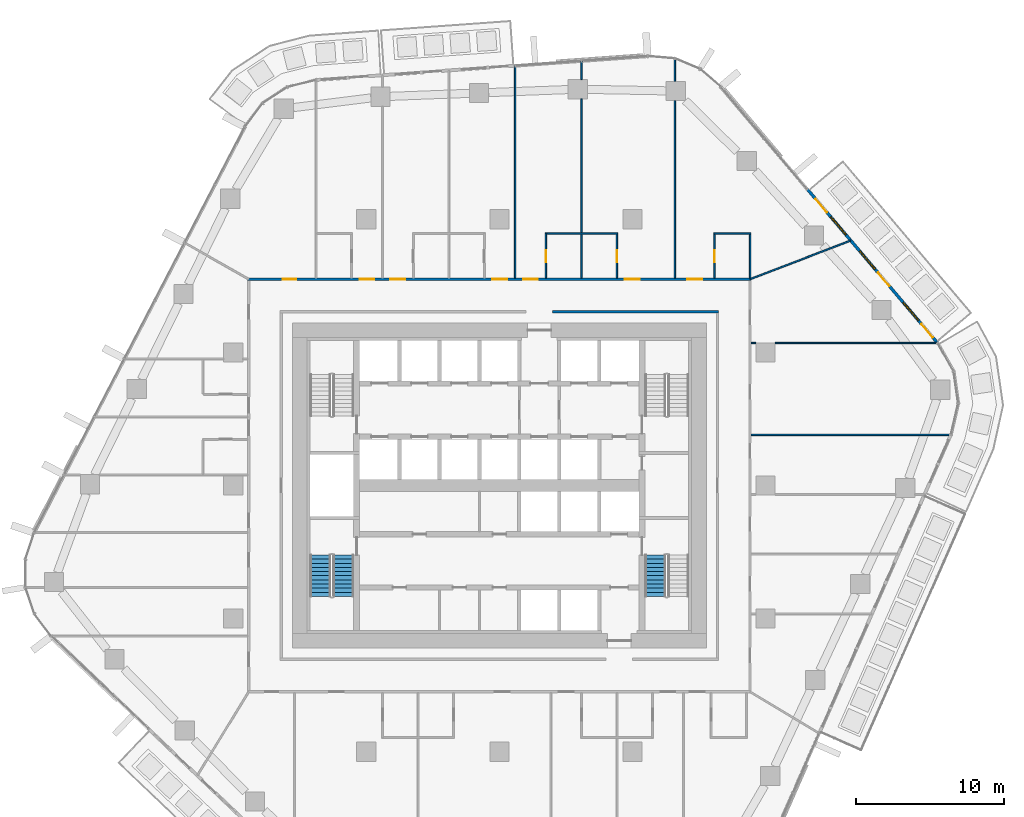
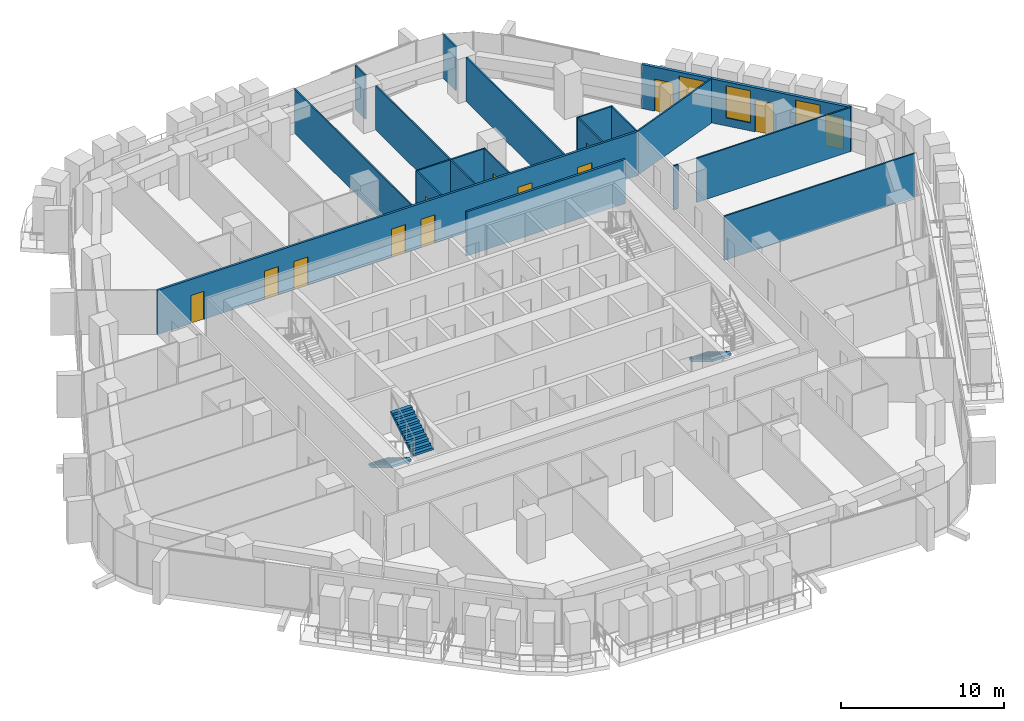
# One storey, part 17 of 24: 19 walls, 13 doors, 3 stair flights, 3 windows, 16 openings, 2 elements without a shape of their own.
"""IFC4 building model written with IfcOpenShell, lengths in metres."""

from ifc_helpers import new_model, si_unit, direction, frame, frame_2d, origin, place, context, subcontext, project, spatial, polyline, rectangle, outline, extrude, material, layer, layer_set, type_object, element, fill, aggregate, save


model = new_model("IFC4")

# Units and contexts
model_context = context("Model", 3, precision=1e-05, world=origin(), true_north=direction((0.0, 1.0)))
body_context = subcontext(model_context, "Body", "Model", "MODEL_VIEW")
ifc_project = project(units=[si_unit("LENGTHUNIT", "METRE"), si_unit("AREAUNIT", "SQUARE_METRE"), si_unit("VOLUMEUNIT", "CUBIC_METRE"), si_unit("PLANEANGLEUNIT", "RADIAN"), si_unit("MASSUNIT", "GRAM", prefix="KILO")], contexts=[model_context])

# Site, building, storey
site_placement = place(None, origin())
site = spatial("IfcSite", under=ifc_project, at=site_placement, CompositionType="ELEMENT")
building_placement = place(site_placement, origin())
building = spatial("IfcBuilding", under=site, at=building_placement, Name="Dongbaek Canopy Tower", CompositionType="ELEMENT")
storey_placement = place(building_placement, frame((0.0, 0.0, 110.0)))
storey = spatial("IfcBuildingStorey", under=building, at=storey_placement, Name="L23", CompositionType="ELEMENT", Elevation=110.0)

# Wall
ifc_material_1 = material(Name="Gypsum board partition, steel stud, 2 x 15 mm fire board", Category="steel")
ifc_layer_1 = layer(ifc_material_1, 0.14990234375)
ifc_layer_set_1 = layer_set([ifc_layer_1], Name="Fire-rated partition 150 gypsum board")
wall_type_1 = type_object("IfcWallType", Name="Fire-rated partition 150 gypsum board", PredefinedType="PARTITIONING", material=ifc_layer_set_1)
wall_1_placement = place(storey_placement, frame((3.60009765625, 11.75, 0.0), z_axis=(0.0, 0.0, 1.0), x_axis=(1.0, 0.0, 0.0)))
element("IfcWall", 1, at=wall_1_placement, inside=storey, type_object=wall_type_1, Name="Corridor partition", PredefinedType="PARTITIONING", context=body_context, shape_type="SweptSolid", body=[
    extrude(rectangle(XDim=11.224853515625, YDim=0.14990234375, at=frame_2d((5.6123046875, 0.0))), origin(), (0.0, 0.0, 1.0), 3.300048828125),
])

# Wall, openings, doors
wall_2_placement = place(storey_placement, frame((-17.02490234375, 13.949951171875, 0.0), z_axis=(0.0, 0.0, 1.0), x_axis=(1.0, 0.0, 0.0)))
wall_2 = element("IfcWall", 2, at=wall_2_placement, inside=storey, type_object=wall_type_1, Name="Corridor partition", PredefinedType="PARTITIONING", context=body_context, shape_type="SweptSolid", body=[
    extrude(rectangle(XDim=34.0498046875, YDim=0.14990234375, at=frame_2d((17.02490234375, 0.0))), origin(), (0.0, 0.0, 1.0), 3.300048828125),
])
opening_1_placement = place(wall_2_placement, frame((29.73486328125, 0.0, 0.0)))
opening_1 = element("IfcOpeningElement", 3, at=opening_1_placement, cuts=wall_2, Name="Opening L23-D022", PredefinedType="OPENING", context=body_context, shape_type="SweptSolid", body=[
    extrude(rectangle(XDim=1.0, YDim=2.10009765625, at=frame_2d((0.5, 1.050048828125))), frame((0.0, 0.0849609375, 0.0), z_axis=(0.0, -1.0, 0.0), x_axis=(1.0, 0.0, 0.0)), (0.0, 0.0, 1.0), 0.169921875),
])
opening_2_placement = place(wall_2_placement, frame((25.51318359375, 0.0, 0.0)))
opening_2 = element("IfcOpeningElement", 4, at=opening_2_placement, cuts=wall_2, Name="Opening L23-D024", PredefinedType="OPENING", context=body_context, shape_type="SweptSolid", body=[
    extrude(rectangle(XDim=1.0, YDim=2.10009765625, at=frame_2d((0.5, 1.050048828125))), frame((0.0, 0.0849609375, 0.0), z_axis=(0.0, -1.0, 0.0), x_axis=(1.0, 0.0, 0.0)), (0.0, 0.0, 1.0), 0.169921875),
])
opening_3_placement = place(wall_2_placement, frame((18.631103515625, 0.0, 0.0)))
opening_3 = element("IfcOpeningElement", 5, at=opening_3_placement, cuts=wall_2, Name="Opening L23-D026", PredefinedType="OPENING", context=body_context, shape_type="SweptSolid", body=[
    extrude(rectangle(XDim=1.0, YDim=2.10009765625, at=frame_2d((0.5, 1.050048828125))), frame((0.0, 0.0849609375, 0.0), z_axis=(0.0, -1.0, 0.0), x_axis=(1.0, 0.0, 0.0)), (0.0, 0.0, 1.0), 0.169921875),
])
opening_4_placement = place(wall_2_placement, frame((16.544921875, 0.0, 0.0)))
opening_4 = element("IfcOpeningElement", 6, at=opening_4_placement, cuts=wall_2, Name="Opening L23-D028", PredefinedType="OPENING", context=body_context, shape_type="SweptSolid", body=[
    extrude(rectangle(XDim=1.0, YDim=2.10009765625, at=frame_2d((0.5, 1.050048828125))), frame((0.0, 0.0849609375, 0.0), z_axis=(0.0, -1.0, 0.0), x_axis=(1.0, 0.0, 0.0)), (0.0, 0.0, 1.0), 0.169921875),
])
opening_5_placement = place(wall_2_placement, frame((9.65869140625, 0.0, 0.0)))
opening_5 = element("IfcOpeningElement", 7, at=opening_5_placement, cuts=wall_2, Name="Opening L23-D030", PredefinedType="OPENING", context=body_context, shape_type="SweptSolid", body=[
    extrude(rectangle(XDim=1.0, YDim=2.10009765625, at=frame_2d((0.5, 1.050048828125))), frame((0.0, 0.0849609375, 0.0), z_axis=(0.0, -1.0, 0.0), x_axis=(1.0, 0.0, 0.0)), (0.0, 0.0, 1.0), 0.169921875),
])
opening_6_placement = place(wall_2_placement, frame((7.576904296875, 0.0, 0.0)))
opening_6 = element("IfcOpeningElement", 8, at=opening_6_placement, cuts=wall_2, Name="Opening L23-D032", PredefinedType="OPENING", context=body_context, shape_type="SweptSolid", body=[
    extrude(rectangle(XDim=1.0, YDim=2.10009765625, at=frame_2d((0.5, 1.050048828125))), frame((0.0, 0.0849609375, 0.0), z_axis=(0.0, -1.0, 0.0), x_axis=(1.0, 0.0, 0.0)), (0.0, 0.0, 1.0), 0.169921875),
])
opening_7_placement = place(wall_2_placement, frame((2.38134765625, 0.0, 0.0)))
opening_7 = element("IfcOpeningElement", 9, at=opening_7_placement, cuts=wall_2, Name="Opening L23-D033", PredefinedType="OPENING", context=body_context, shape_type="SweptSolid", body=[
    extrude(rectangle(XDim=0.89990234375, YDim=2.10009765625, at=frame_2d((0.449951171875, 1.050048828125))), frame((0.0, 0.0849609375, 0.0), z_axis=(0.0, -1.0, 0.0), x_axis=(1.0, 0.0, 0.0)), (0.0, 0.0, 1.0), 0.169921875),
])
ifc_material_2 = material(Name="Timber veneered door leaf", Category="wood")
door_type_1 = type_object("IfcDoorType", Name="Guest room door 1000 x 2100", OperationType="SINGLE_SWING_LEFT", PredefinedType="DOOR", material=ifc_material_2)
door_1_placement = place(opening_1_placement, origin())
door_1 = element("IfcDoor", 10, at=door_1_placement, inside=storey, type_object=door_type_1, Name="Door L23-D022", OperationType="SINGLE_SWING_RIGHT", OverallHeight=2.10009765625, OverallWidth=1.0, PredefinedType="DOOR", context=body_context, shape_type="SweptSolid", body=[
    extrude(rectangle(XDim=1.0, YDim=2.10009765625, at=frame_2d((0.5, 1.050048828125))), frame((0.0, 0.02490234375, 0.0), z_axis=(0.0, -1.0, 0.0), x_axis=(1.0, 0.0, 0.0)), (0.0, 0.0, 1.0), 0.050048828125),
])
fill(opening_1, door_1)
door_2_placement = place(opening_2_placement, origin())
door_2 = element("IfcDoor", 11, at=door_2_placement, inside=storey, type_object=door_type_1, Name="Door L23-D024", OperationType="SINGLE_SWING_LEFT", OverallHeight=2.10009765625, OverallWidth=1.0, PredefinedType="DOOR", context=body_context, shape_type="SweptSolid", body=[
    extrude(rectangle(XDim=1.0, YDim=2.10009765625, at=frame_2d((0.5, 1.050048828125))), frame((0.0, 0.02490234375, 0.0), z_axis=(0.0, -1.0, 0.0), x_axis=(1.0, 0.0, 0.0)), (0.0, 0.0, 1.0), 0.050048828125),
])
fill(opening_2, door_2)
door_3_placement = place(opening_3_placement, origin())
door_3 = element("IfcDoor", 12, at=door_3_placement, inside=storey, type_object=door_type_1, Name="Door L23-D026", OperationType="SINGLE_SWING_RIGHT", OverallHeight=2.10009765625, OverallWidth=1.0, PredefinedType="DOOR", context=body_context, shape_type="SweptSolid", body=[
    extrude(rectangle(XDim=1.0, YDim=2.10009765625, at=frame_2d((0.5, 1.050048828125))), frame((0.0, 0.02490234375, 0.0), z_axis=(0.0, -1.0, 0.0), x_axis=(1.0, 0.0, 0.0)), (0.0, 0.0, 1.0), 0.050048828125),
])
fill(opening_3, door_3)
door_4_placement = place(opening_4_placement, origin())
door_4 = element("IfcDoor", 13, at=door_4_placement, inside=storey, type_object=door_type_1, Name="Door L23-D028", OperationType="SINGLE_SWING_LEFT", OverallHeight=2.10009765625, OverallWidth=1.0, PredefinedType="DOOR", context=body_context, shape_type="SweptSolid", body=[
    extrude(rectangle(XDim=1.0, YDim=2.10009765625, at=frame_2d((0.5, 1.050048828125))), frame((0.0, 0.02490234375, 0.0), z_axis=(0.0, -1.0, 0.0), x_axis=(1.0, 0.0, 0.0)), (0.0, 0.0, 1.0), 0.050048828125),
])
fill(opening_4, door_4)
door_5_placement = place(opening_5_placement, origin())
door_5 = element("IfcDoor", 14, at=door_5_placement, inside=storey, type_object=door_type_1, Name="Door L23-D030", OperationType="SINGLE_SWING_RIGHT", OverallHeight=2.10009765625, OverallWidth=1.0, PredefinedType="DOOR", context=body_context, shape_type="SweptSolid", body=[
    extrude(rectangle(XDim=1.0, YDim=2.10009765625, at=frame_2d((0.5, 1.050048828125))), frame((0.0, 0.02490234375, 0.0), z_axis=(0.0, -1.0, 0.0), x_axis=(1.0, 0.0, 0.0)), (0.0, 0.0, 1.0), 0.050048828125),
])
fill(opening_5, door_5)
door_6_placement = place(opening_6_placement, origin())
door_6 = element("IfcDoor", 15, at=door_6_placement, inside=storey, type_object=door_type_1, Name="Door L23-D032", OperationType="SINGLE_SWING_LEFT", OverallHeight=2.10009765625, OverallWidth=1.0, PredefinedType="DOOR", context=body_context, shape_type="SweptSolid", body=[
    extrude(rectangle(XDim=1.0, YDim=2.10009765625, at=frame_2d((0.5, 1.050048828125))), frame((0.0, 0.02490234375, 0.0), z_axis=(0.0, -1.0, 0.0), x_axis=(1.0, 0.0, 0.0)), (0.0, 0.0, 1.0), 0.050048828125),
])
fill(opening_6, door_6)
ifc_material_3 = material(Name="Timber veneered door leaf", Category="wood")
door_type_2 = type_object("IfcDoorType", Name="Room door 900 x 2100", OperationType="SINGLE_SWING_LEFT", PredefinedType="DOOR", material=ifc_material_3)
door_7_placement = place(opening_7_placement, origin())
door_7 = element("IfcDoor", 16, at=door_7_placement, inside=storey, type_object=door_type_2, Name="Door L23-D033", OperationType="SINGLE_SWING_RIGHT", OverallHeight=2.10009765625, OverallWidth=0.89990234375, PredefinedType="DOOR", context=body_context, shape_type="SweptSolid", body=[
    extrude(rectangle(XDim=0.89990234375, YDim=2.10009765625, at=frame_2d((0.449951171875, 1.050048828125))), frame((0.0, 0.02490234375, 0.0), z_axis=(0.0, -1.0, 0.0), x_axis=(1.0, 0.0, 0.0)), (0.0, 0.0, 1.0), 0.050048828125),
])
fill(opening_7, door_7)

# Walls
ifc_material_4 = material(Name="Gypsum board partition, steel stud, 2 x 12.5 mm board", Category="steel")
ifc_layer_2 = layer(ifc_material_4, 0.10009765625)
ifc_layer_set_2 = layer_set([ifc_layer_2], Name="Partition 100 gypsum board")
wall_type_2 = type_object("IfcWallType", Name="Partition 100 gypsum board", PredefinedType="PARTITIONING", material=ifc_layer_set_2)
wall_3_placement = place(storey_placement, frame((17.02490234375, 3.428955078125, 0.0), z_axis=(0.0, 0.0, 1.0), x_axis=(1.0, 0.0, 0.0)))
element("IfcWall", 17, at=wall_3_placement, inside=storey, type_object=wall_type_2, Name="Partition", PredefinedType="PARTITIONING", context=body_context, shape_type="SweptSolid", body=[
    extrude(rectangle(XDim=13.477294921875, YDim=0.10009765625, at=frame_2d((6.73876953125, 0.0))), origin(), (0.0, 0.0, 1.0), 3.300048828125),
])
wall_4_placement = place(storey_placement, frame((17.02490234375, 9.635986328125, 0.0), z_axis=(0.0, 0.0, 1.0), x_axis=(1.0, 0.0, 0.0)))
element("IfcWall", 18, at=wall_4_placement, inside=storey, type_object=wall_type_2, Name="Partition", PredefinedType="PARTITIONING", context=body_context, shape_type="SweptSolid", body=[
    extrude(rectangle(XDim=0.3251953125, YDim=0.10009765625, at=frame_2d((0.16259765625, 0.0))), origin(), (0.0, 0.0, 1.0), 3.300048828125),
])
wall_5_placement = place(storey_placement, frame((18.64990234375, 9.635986328125, 0.0), z_axis=(0.0, 0.0, 1.0), x_axis=(1.0, 0.0, 0.0)))
element("IfcWall", 19, at=wall_5_placement, inside=storey, type_object=wall_type_2, Name="Partition", PredefinedType="PARTITIONING", context=body_context, shape_type="SweptSolid", body=[
    extrude(rectangle(XDim=10.9501953125, YDim=0.10009765625, at=frame_2d((5.47509765625, 0.0))), origin(), (0.0, 0.0, 1.0), 3.300048828125),
])
wall_6_placement = place(storey_placement, frame((3.09912109375, 17.050048828125, 0.0), z_axis=(0.0, 0.0, 1.0), x_axis=(1.0, 0.0, 0.0)))
element("IfcWall", 20, at=wall_6_placement, inside=storey, type_object=wall_type_2, Name="Partition", PredefinedType="PARTITIONING", context=body_context, shape_type="SweptSolid", body=[
    extrude(rectangle(XDim=4.89990234375, YDim=0.10009765625, at=frame_2d((2.449951171875, 0.0))), origin(), (0.0, 0.0, 1.0), 3.300048828125),
])
wall_7_placement = place(storey_placement, frame((14.5, 17.050048828125, 0.0), z_axis=(0.0, 0.0, 1.0), x_axis=(1.0, 0.0, 0.0)))
element("IfcWall", 21, at=wall_7_placement, inside=storey, type_object=wall_type_2, Name="Partition", PredefinedType="PARTITIONING", context=body_context, shape_type="SweptSolid", body=[
    extrude(rectangle(XDim=2.5, YDim=0.10009765625, at=frame_2d((1.25, 0.0))), origin(), (0.0, 0.0, 1.0), 3.300048828125),
])
wall_8_placement = place(storey_placement, frame((16.949951171875, 13.9501953125, 0.0), z_axis=(0.0, 0.0, 1.0), x_axis=(0.933635037811, 0.358225649796, 0.0)))
element("IfcWall", 22, at=wall_8_placement, inside=storey, type_object=wall_type_2, Name="Partition", PredefinedType="PARTITIONING", context=body_context, shape_type="SweptSolid", body=[
    extrude(rectangle(XDim=7.275390625, YDim=0.10009765625, at=frame_2d((3.6376953125, 0.0))), origin(), (0.0, 0.0, 1.0), 3.300048828125),
])
wall_9_placement = place(storey_placement, frame((16.949951171875, 14.02490234375, 0.0), z_axis=(0.0, 0.0, 1.0), x_axis=(0.0, 1.0, 0.0)))
element("IfcWall", 23, at=wall_9_placement, inside=storey, type_object=wall_type_2, Name="Partition", PredefinedType="PARTITIONING", context=body_context, shape_type="SweptSolid", body=[
    extrude(rectangle(XDim=2.97509765625, YDim=0.10009765625, at=frame_2d((1.487548828125, 0.0))), origin(), (0.0, 0.0, 1.0), 3.300048828125),
])

# Wall, opening, door
wall_10_placement = place(storey_placement, frame((14.550048828125, 17.0, 0.0), z_axis=(0.0, 0.0, 1.0), x_axis=(0.0, -1.0, 0.0)))
wall_10 = element("IfcWall", 24, at=wall_10_placement, inside=storey, type_object=wall_type_2, Name="Partition", PredefinedType="PARTITIONING", context=body_context, shape_type="SweptSolid", body=[
    extrude(rectangle(XDim=2.97509765625, YDim=0.10009765625, at=frame_2d((1.487548828125, 0.0))), origin(), (0.0, 0.0, 1.0), 3.300048828125),
])
opening_8_placement = place(wall_10_placement, frame((1.10009765625, 0.0, 0.0)))
opening_8 = element("IfcOpeningElement", 25, at=opening_8_placement, cuts=wall_10, Name="Opening L23-D021", PredefinedType="OPENING", context=body_context, shape_type="SweptSolid", body=[
    extrude(rectangle(XDim=0.800048828125, YDim=2.10009765625, at=frame_2d((0.39990234375, 1.050048828125))), frame((0.0, 0.06005859375, 0.0), z_axis=(0.0, -1.0, 0.0), x_axis=(1.0, 0.0, 0.0)), (0.0, 0.0, 1.0), 0.1201171875),
])
ifc_material_5 = material(Name="Timber veneered door leaf", Category="wood")
door_type_3 = type_object("IfcDoorType", Name="En-suite door 800 x 2100", OperationType="SINGLE_SWING_LEFT", PredefinedType="DOOR", material=ifc_material_5)
door_8_placement = place(opening_8_placement, origin())
door_8 = element("IfcDoor", 26, at=door_8_placement, inside=storey, type_object=door_type_3, Name="Door L23-D021", OperationType="SINGLE_SWING_LEFT", OverallHeight=2.10009765625, OverallWidth=0.800048828125, PredefinedType="DOOR", context=body_context, shape_type="SweptSolid", body=[
    extrude(rectangle(XDim=0.800048828125, YDim=2.10009765625, at=frame_2d((0.39990234375, 1.050048828125))), frame((0.0, 0.02490234375, 0.0), z_axis=(0.0, -1.0, 0.0), x_axis=(1.0, 0.0, 0.0)), (0.0, 0.0, 1.0), 0.050048828125),
])
fill(opening_8, door_8)

# Walls
wall_11_placement = place(storey_placement, frame((11.8701171875, 14.02490234375, 0.0), z_axis=(0.0, 0.0, 1.0), x_axis=(0.0, 1.0, 0.0)))
element("IfcWall", 27, at=wall_11_placement, inside=storey, type_object=wall_type_2, Name="Partition", PredefinedType="PARTITIONING", context=body_context, shape_type="SweptSolid", body=[
    extrude(rectangle(XDim=11.9990234375, YDim=0.10009765625, at=frame_2d((5.99951171875, 0.0))), origin(), (0.0, 0.0, 1.0), 3.300048828125),
])
wall_12_placement = place(storey_placement, frame((11.8701171875, 27.323974609375, 0.0), z_axis=(0.0, 0.0, 1.0), x_axis=(0.0, 1.0, 0.0)))
element("IfcWall", 28, at=wall_12_placement, inside=storey, type_object=wall_type_2, Name="Partition", PredefinedType="PARTITIONING", context=body_context, shape_type="SweptSolid", body=[
    extrude(rectangle(XDim=1.53125, YDim=0.10009765625, at=frame_2d((0.765625, 0.0))), origin(), (0.0, 0.0, 1.0), 3.300048828125),
])

# Wall, opening, door
wall_13_placement = place(storey_placement, frame((7.948974609375, 14.02490234375, 0.0), z_axis=(0.0, 0.0, 1.0), x_axis=(0.0, 1.0, 0.0)))
wall_13 = element("IfcWall", 29, at=wall_13_placement, inside=storey, type_object=wall_type_2, Name="Partition", PredefinedType="PARTITIONING", context=body_context, shape_type="SweptSolid", body=[
    extrude(rectangle(XDim=2.97509765625, YDim=0.10009765625, at=frame_2d((1.487548828125, 0.0))), origin(), (0.0, 0.0, 1.0), 3.300048828125),
])
opening_9_placement = place(wall_13_placement, frame((1.074951171875, 0.0, 0.0)))
opening_9 = element("IfcOpeningElement", 30, at=opening_9_placement, cuts=wall_13, Name="Opening L23-D023", PredefinedType="OPENING", context=body_context, shape_type="SweptSolid", body=[
    extrude(rectangle(XDim=0.800048828125, YDim=2.10009765625, at=frame_2d((0.39990234375, 1.050048828125))), frame((0.0, 0.06005859375, 0.0), z_axis=(0.0, -1.0, 0.0), x_axis=(1.0, 0.0, 0.0)), (0.0, 0.0, 1.0), 0.1201171875),
])
door_9_placement = place(opening_9_placement, origin())
door_9 = element("IfcDoor", 31, at=door_9_placement, inside=storey, type_object=door_type_3, Name="Door L23-D023", OperationType="SINGLE_SWING_RIGHT", OverallHeight=2.10009765625, OverallWidth=0.800048828125, PredefinedType="DOOR", context=body_context, shape_type="SweptSolid", body=[
    extrude(rectangle(XDim=0.800048828125, YDim=2.10009765625, at=frame_2d((0.39990234375, 1.050048828125))), frame((0.0, 0.02490234375, 0.0), z_axis=(0.0, -1.0, 0.0), x_axis=(1.0, 0.0, 0.0)), (0.0, 0.0, 1.0), 0.050048828125),
])
fill(opening_9, door_9)

# Walls
wall_14_placement = place(storey_placement, frame((5.549072265625, 14.02490234375, 0.0), z_axis=(0.0, 0.0, 1.0), x_axis=(0.0, 1.0, 0.0)))
element("IfcWall", 32, at=wall_14_placement, inside=storey, type_object=wall_type_2, Name="Partition", PredefinedType="PARTITIONING", context=body_context, shape_type="SweptSolid", body=[
    extrude(rectangle(XDim=2.97509765625, YDim=0.10009765625, at=frame_2d((1.487548828125, 0.0))), origin(), (0.0, 0.0, 1.0), 3.300048828125),
])
wall_15_placement = place(storey_placement, frame((5.549072265625, 17.10009765625, 0.0), z_axis=(0.0, 0.0, 1.0), x_axis=(0.0, 1.0, 0.0)))
element("IfcWall", 33, at=wall_15_placement, inside=storey, type_object=wall_type_2, Name="Partition", PredefinedType="PARTITIONING", context=body_context, shape_type="SweptSolid", body=[
    extrude(rectangle(XDim=9.0478515625, YDim=0.10009765625, at=frame_2d((4.52392578125, 0.0))), origin(), (0.0, 0.0, 1.0), 3.300048828125),
])
wall_16_placement = place(storey_placement, frame((5.549072265625, 27.447998046875, 0.0), z_axis=(0.0, 0.0, 1.0), x_axis=(0.0, 1.0, 0.0)))
element("IfcWall", 34, at=wall_16_placement, inside=storey, type_object=wall_type_2, Name="Partition", PredefinedType="PARTITIONING", context=body_context, shape_type="SweptSolid", body=[
    extrude(rectangle(XDim=1.243408203125, YDim=0.10009765625, at=frame_2d((0.62158203125, 0.0))), origin(), (0.0, 0.0, 1.0), 3.300048828125),
])

# Wall, opening, door
wall_17_placement = place(storey_placement, frame((3.14892578125, 17.050048828125, 0.0), z_axis=(0.0, 0.0, 1.0), x_axis=(0.0, -1.0, 0.0)))
wall_17 = element("IfcWall", 35, at=wall_17_placement, inside=storey, type_object=wall_type_2, Name="Partition", PredefinedType="PARTITIONING", context=body_context, shape_type="SweptSolid", body=[
    extrude(rectangle(XDim=3.025146484375, YDim=0.10009765625, at=frame_2d((1.5126953125, 0.0))), origin(), (0.0, 0.0, 1.0), 3.300048828125),
])
opening_10_placement = place(wall_17_placement, frame((1.14990234375, 0.0, 0.0)))
opening_10 = element("IfcOpeningElement", 36, at=opening_10_placement, cuts=wall_17, Name="Opening L23-D025", PredefinedType="OPENING", context=body_context, shape_type="SweptSolid", body=[
    extrude(rectangle(XDim=0.800048828125, YDim=2.10009765625, at=frame_2d((0.39990234375, 1.050048828125))), frame((0.0, 0.06005859375, 0.0), z_axis=(0.0, -1.0, 0.0), x_axis=(1.0, 0.0, 0.0)), (0.0, 0.0, 1.0), 0.1201171875),
])
door_10_placement = place(opening_10_placement, origin())
door_10 = element("IfcDoor", 37, at=door_10_placement, inside=storey, type_object=door_type_3, Name="Door L23-D025", OperationType="SINGLE_SWING_LEFT", OverallHeight=2.10009765625, OverallWidth=0.800048828125, PredefinedType="DOOR", context=body_context, shape_type="SweptSolid", body=[
    extrude(rectangle(XDim=0.800048828125, YDim=2.10009765625, at=frame_2d((0.39990234375, 1.050048828125))), frame((0.0, 0.02490234375, 0.0), z_axis=(0.0, -1.0, 0.0), x_axis=(1.0, 0.0, 0.0)), (0.0, 0.0, 1.0), 0.050048828125),
])
fill(opening_10, door_10)

# Wall
wall_18_placement = place(storey_placement, frame((1.06298828125, 14.02490234375, 0.0), z_axis=(0.0, 0.0, 1.0), x_axis=(0.0, 1.0, 0.0)))
element("IfcWall", 38, at=wall_18_placement, inside=storey, type_object=wall_type_2, Name="Partition", PredefinedType="PARTITIONING", context=body_context, shape_type="SweptSolid", body=[
    extrude(rectangle(XDim=14.343994140625, YDim=0.10009765625, at=frame_2d((7.171875, 0.0))), origin(), (0.0, 0.0, 1.0), 3.300048828125),
])

# Wall, openings, doors, windows
ifc_material_6 = material(Name="Aluminium window wall", Category="aluminium")
ifc_layer_3 = layer(ifc_material_6, 0.199951171875)
ifc_layer_set_3 = layer_set([ifc_layer_3], Name="Window wall 200")
wall_type_3 = type_object("IfcWallType", Name="Window wall 200", PredefinedType="SOLIDWALL", material=ifc_layer_set_3)
wall_19_placement = place(storey_placement, frame((29.626220703125, 9.6357421875, 0.0), z_axis=(0.0, 0.0, 1.0), x_axis=(-0.6460547702, 0.763291054514, 0.0)))
wall_19 = element("IfcWall", 39, at=wall_19_placement, inside=storey, type_object=wall_type_3, Name="Window wall L23 1", PredefinedType="SOLIDWALL", context=body_context, shape_type="SweptSolid", body=[
    extrude(rectangle(XDim=13.615234375, YDim=0.199951171875, at=frame_2d((6.8076171875, 0.0))), origin(), (0.0, 0.0, 1.0), 3.300048828125),
])
opening_11_placement = place(wall_19_placement, frame((2.0, 0.0, 0.60009765625)))
opening_11 = element("IfcOpeningElement", 40, at=opening_11_placement, cuts=wall_19, Name="Opening W1", PredefinedType="OPENING", context=body_context, shape_type="SweptSolid", body=[
    extrude(rectangle(XDim=1.60009765625, YDim=2.39990234375, at=frame_2d((0.800048828125, 1.199951171875))), frame((0.0, 0.10986328125, 0.0), z_axis=(0.0, -1.0, 0.0), x_axis=(1.0, 0.0, 0.0)), (0.0, 0.0, 1.0), 0.219970703125),
])
opening_12_placement = place(wall_19_placement, frame((0.5, 0.0, 0.0)))
opening_12 = element("IfcOpeningElement", 41, at=opening_12_placement, cuts=wall_19, Name="Opening L23-B01", PredefinedType="OPENING", context=body_context, shape_type="SweptSolid", body=[
    extrude(rectangle(XDim=1.199951171875, YDim=2.39990234375, at=frame_2d((0.60009765625, 1.199951171875))), frame((0.0, 0.10986328125, 0.0), z_axis=(0.0, -1.0, 0.0), x_axis=(1.0, 0.0, 0.0)), (0.0, 0.0, 1.0), 0.219970703125),
])
opening_13_placement = place(wall_19_placement, frame((6.538330078125, 0.0, 0.60009765625)))
opening_13 = element("IfcOpeningElement", 42, at=opening_13_placement, cuts=wall_19, Name="Opening W1", PredefinedType="OPENING", context=body_context, shape_type="SweptSolid", body=[
    extrude(rectangle(XDim=1.60009765625, YDim=2.39990234375, at=frame_2d((0.800048828125, 1.199951171875))), frame((0.0, 0.10986328125, 0.0), z_axis=(0.0, -1.0, 0.0), x_axis=(1.0, 0.0, 0.0)), (0.0, 0.0, 1.0), 0.219970703125),
])
opening_14_placement = place(wall_19_placement, frame((5.038330078125, 0.0, 0.0)))
opening_14 = element("IfcOpeningElement", 43, at=opening_14_placement, cuts=wall_19, Name="Opening L23-B02", PredefinedType="OPENING", context=body_context, shape_type="SweptSolid", body=[
    extrude(rectangle(XDim=1.199951171875, YDim=2.39990234375, at=frame_2d((0.60009765625, 1.199951171875))), frame((0.0, 0.10986328125, 0.0), z_axis=(0.0, -1.0, 0.0), x_axis=(1.0, 0.0, 0.0)), (0.0, 0.0, 1.0), 0.219970703125),
])
opening_15_placement = place(wall_19_placement, frame((9.576904296875, 0.0, 0.60009765625)))
opening_15 = element("IfcOpeningElement", 44, at=opening_15_placement, cuts=wall_19, Name="Opening W1", PredefinedType="OPENING", context=body_context, shape_type="SweptSolid", body=[
    extrude(rectangle(XDim=1.60009765625, YDim=2.39990234375, at=frame_2d((0.800048828125, 1.199951171875))), frame((0.0, 0.10986328125, 0.0), z_axis=(0.0, -1.0, 0.0), x_axis=(1.0, 0.0, 0.0)), (0.0, 0.0, 1.0), 0.219970703125),
])
opening_16_placement = place(wall_19_placement, frame((11.576904296875, 0.0, 0.0)))
opening_16 = element("IfcOpeningElement", 45, at=opening_16_placement, cuts=wall_19, Name="Opening L23-B03", PredefinedType="OPENING", context=body_context, shape_type="SweptSolid", body=[
    extrude(rectangle(XDim=1.199951171875, YDim=2.39990234375, at=frame_2d((0.60009765625, 1.199951171875))), frame((0.0, 0.10986328125, 0.0), z_axis=(0.0, -1.0, 0.0), x_axis=(1.0, 0.0, 0.0)), (0.0, 0.0, 1.0), 0.219970703125),
])
ifc_material_7 = material(Name="Clear glazing in aluminium frame", Category="aluminium")
door_type_4 = type_object("IfcDoorType", Name="Balcony door BD1 1200 x 2400", OperationType="SLIDING_TO_LEFT", PredefinedType="DOOR", material=ifc_material_7)
door_11_placement = place(opening_12_placement, origin())
door_11 = element("IfcDoor", 46, at=door_11_placement, inside=storey, type_object=door_type_4, Name="Balcony door L23-B01", OperationType="SLIDING_TO_LEFT", OverallHeight=2.39990234375, OverallWidth=1.199951171875, PredefinedType="DOOR", context=body_context, shape_type="SweptSolid", body=[
    extrude(rectangle(XDim=1.199951171875, YDim=2.39990234375, at=frame_2d((0.60009765625, 1.199951171875))), frame((0.0, 0.02490234375, 0.0), z_axis=(0.0, -1.0, 0.0), x_axis=(1.0, 0.0, 0.0)), (0.0, 0.0, 1.0), 0.050048828125),
])
fill(opening_12, door_11)
door_12_placement = place(opening_14_placement, origin())
door_12 = element("IfcDoor", 47, at=door_12_placement, inside=storey, type_object=door_type_4, Name="Balcony door L23-B02", OperationType="SLIDING_TO_LEFT", OverallHeight=2.39990234375, OverallWidth=1.199951171875, PredefinedType="DOOR", context=body_context, shape_type="SweptSolid", body=[
    extrude(rectangle(XDim=1.199951171875, YDim=2.39990234375, at=frame_2d((0.60009765625, 1.199951171875))), frame((0.0, 0.02490234375, 0.0), z_axis=(0.0, -1.0, 0.0), x_axis=(1.0, 0.0, 0.0)), (0.0, 0.0, 1.0), 0.050048828125),
])
fill(opening_14, door_12)
door_13_placement = place(opening_16_placement, origin())
door_13 = element("IfcDoor", 48, at=door_13_placement, inside=storey, type_object=door_type_4, Name="Balcony door L23-B03", OperationType="SLIDING_TO_LEFT", OverallHeight=2.39990234375, OverallWidth=1.199951171875, PredefinedType="DOOR", context=body_context, shape_type="SweptSolid", body=[
    extrude(rectangle(XDim=1.199951171875, YDim=2.39990234375, at=frame_2d((0.60009765625, 1.199951171875))), frame((0.0, 0.02490234375, 0.0), z_axis=(0.0, -1.0, 0.0), x_axis=(1.0, 0.0, 0.0)), (0.0, 0.0, 1.0), 0.050048828125),
])
fill(opening_16, door_13)
ifc_material_8 = material(Name="Clear glazing in aluminium frame", Category="aluminium")
window_type = type_object("IfcWindowType", Name="Window W1 1600 x 2400", PartitioningType="SINGLE_PANEL", PredefinedType="WINDOW", material=ifc_material_8)
window_1_placement = place(opening_11_placement, origin())
window_1 = element("IfcWindow", 49, at=window_1_placement, inside=storey, type_object=window_type, Name="Window L23 1.1", OverallHeight=2.39990234375, OverallWidth=1.60009765625, PartitioningType="SINGLE_PANEL", PredefinedType="WINDOW", context=body_context, shape_type="SweptSolid", body=[
    extrude(rectangle(XDim=1.60009765625, YDim=2.39990234375, at=frame_2d((0.800048828125, 1.199951171875))), frame((0.0, 0.030029296875, 0.0), z_axis=(0.0, -1.0, 0.0), x_axis=(1.0, 0.0, 0.0)), (0.0, 0.0, 1.0), 0.06005859375),
])
fill(opening_11, window_1)
window_2_placement = place(opening_13_placement, origin())
window_2 = element("IfcWindow", 50, at=window_2_placement, inside=storey, type_object=window_type, Name="Window L23 1.2", OverallHeight=2.39990234375, OverallWidth=1.60009765625, PartitioningType="SINGLE_PANEL", PredefinedType="WINDOW", context=body_context, shape_type="SweptSolid", body=[
    extrude(rectangle(XDim=1.60009765625, YDim=2.39990234375, at=frame_2d((0.800048828125, 1.199951171875))), frame((0.0, 0.030029296875, 0.0), z_axis=(0.0, -1.0, 0.0), x_axis=(1.0, 0.0, 0.0)), (0.0, 0.0, 1.0), 0.06005859375),
])
fill(opening_13, window_2)
window_3_placement = place(opening_15_placement, origin())
window_3 = element("IfcWindow", 51, at=window_3_placement, inside=storey, type_object=window_type, Name="Window L23 1.3", OverallHeight=2.39990234375, OverallWidth=1.60009765625, PartitioningType="SINGLE_PANEL", PredefinedType="WINDOW", context=body_context, shape_type="SweptSolid", body=[
    extrude(rectangle(XDim=1.60009765625, YDim=2.39990234375, at=frame_2d((0.800048828125, 1.199951171875))), frame((0.0, 0.030029296875, 0.0), z_axis=(0.0, -1.0, 0.0), x_axis=(1.0, 0.0, 0.0)), (0.0, 0.0, 1.0), 0.06005859375),
])
fill(opening_15, window_3)

# Stair, stair flight
ifc_material_9 = material(Name="Concrete C40/50", Category="concrete")
stair_type = type_object("IfcStairType", Name="Core exit stair", PredefinedType="HALF_TURN_STAIR", material=ifc_material_9)
stair_1_placement = place(storey_placement, origin())
stair_1 = element("IfcStair", 52, at=stair_1_placement, inside=storey, type_object=stair_type, Name="L23 exit stair B", PredefinedType="HALF_TURN_STAIR")
ifc_material_10 = material(Name="Concrete C40/50", Category="concrete")
ifc_layer_4 = layer(ifc_material_10, 0.14990234375)
ifc_layer_set_4 = layer_set([ifc_layer_4], Name="Core stair flight 150 waist")
stair_flight_type = type_object("IfcStairFlightType", Name="Core stair flight 150 waist", PredefinedType="STRAIGHT", material=ifc_layer_set_4)
stair_flight_1_placement = place(storey_placement, frame((10.550048828125, -4.699951171875, 0.0), z_axis=(0.0, 0.0, 1.0), x_axis=(0.0, -1.0, 0.0)))
stair_flight_1 = element("IfcStairFlight", 53, at=stair_flight_1_placement, type_object=stair_flight_type, Name="ST-B flight 1", NumberOfRisers=11, NumberOfTreads=10, PredefinedType="STRAIGHT", RiserHeight=0.168181818, TreadLength=0.28, context=body_context, shape_type="SweptSolid", body=[
    extrude(outline(polyline([(0.0, 0.0), (0.0, 0.168212890625), (0.280029296875, 0.168212890625), (0.280029296875, 0.33642578125), (0.56005859375, 0.33642578125), (0.56005859375, 0.504638671875), (0.840087890625, 0.504638671875), (0.840087890625, 0.672607421875), (1.1201171875, 0.672607421875), (1.1201171875, 0.8408203125), (1.39990234375, 0.8408203125), (1.39990234375, 1.009033203125), (1.679931640625, 1.009033203125), (1.679931640625, 1.17724609375), (1.9599609375, 1.17724609375), (1.9599609375, 1.345458984375), (2.239990234375, 1.345458984375), (2.239990234375, 1.513671875), (2.52001953125, 1.513671875), (2.52001953125, 1.681884765625), (2.800048828125, 1.681884765625), (2.800048828125, 1.85009765625), (2.800048828125, 1.5068359375), (0.291015625, 0.0), (0.0, 0.0)])), frame((0.0, 0.699951171875, 0.0), z_axis=(0.0, -1.0, 0.0), x_axis=(1.0, 0.0, 0.0)), (0.0, 0.0, 1.0), 1.39990234375),
])
aggregate(stair_1, [stair_flight_1])

# Stair, stair flights
stair_2_placement = place(storey_placement, origin())
stair_2 = element("IfcStair", 54, at=stair_2_placement, inside=storey, type_object=stair_type, Name="L23 exit stair D", PredefinedType="HALF_TURN_STAIR")
stair_flight_2_placement = place(storey_placement, frame((-12.10009765625, -4.699951171875, 0.0), z_axis=(0.0, 0.0, 1.0), x_axis=(0.0, -1.0, 0.0)))
stair_flight_2 = element("IfcStairFlight", 55, at=stair_flight_2_placement, type_object=stair_flight_type, Name="ST-D flight 1", NumberOfRisers=11, NumberOfTreads=10, PredefinedType="STRAIGHT", RiserHeight=0.168181818, TreadLength=0.28, context=body_context, shape_type="SweptSolid", body=[
    extrude(outline(polyline([(0.0, 0.0), (0.0, 0.168212890625), (0.280029296875, 0.168212890625), (0.280029296875, 0.33642578125), (0.56005859375, 0.33642578125), (0.56005859375, 0.504638671875), (0.840087890625, 0.504638671875), (0.840087890625, 0.672607421875), (1.1201171875, 0.672607421875), (1.1201171875, 0.8408203125), (1.39990234375, 0.8408203125), (1.39990234375, 1.009033203125), (1.679931640625, 1.009033203125), (1.679931640625, 1.17724609375), (1.9599609375, 1.17724609375), (1.9599609375, 1.345458984375), (2.239990234375, 1.345458984375), (2.239990234375, 1.513671875), (2.52001953125, 1.513671875), (2.52001953125, 1.681884765625), (2.800048828125, 1.681884765625), (2.800048828125, 1.85009765625), (2.800048828125, 1.5068359375), (0.291015625, 0.0), (0.0, 0.0)])), frame((0.0, 0.699951171875, 0.0), z_axis=(0.0, -1.0, 0.0), x_axis=(1.0, 0.0, 0.0)), (0.0, 0.0, 1.0), 1.39990234375),
])
stair_flight_3_placement = place(storey_placement, frame((-10.550048828125, -7.5, 1.85009765625), z_axis=(0.0, 0.0, 1.0), x_axis=(0.0, 1.0, 0.0)))
stair_flight_3 = element("IfcStairFlight", 56, at=stair_flight_3_placement, type_object=stair_flight_type, Name="ST-D flight 2", NumberOfRisers=11, NumberOfTreads=10, PredefinedType="STRAIGHT", RiserHeight=0.168181818, TreadLength=0.28, context=body_context, shape_type="SweptSolid", body=[
    extrude(outline(polyline([(0.0, 0.0), (0.0, 0.168212890625), (0.280029296875, 0.168212890625), (0.280029296875, 0.33642578125), (0.56005859375, 0.33642578125), (0.56005859375, 0.504638671875), (0.840087890625, 0.504638671875), (0.840087890625, 0.672607421875), (1.1201171875, 0.672607421875), (1.1201171875, 0.8408203125), (1.39990234375, 0.8408203125), (1.39990234375, 1.009033203125), (1.679931640625, 1.009033203125), (1.679931640625, 1.17724609375), (1.9599609375, 1.17724609375), (1.9599609375, 1.345458984375), (2.239990234375, 1.345458984375), (2.239990234375, 1.513671875), (2.52001953125, 1.513671875), (2.52001953125, 1.681884765625), (2.800048828125, 1.681884765625), (2.800048828125, 1.85009765625), (2.800048828125, 1.5068359375), (0.291015625, 0.0), (0.0, 0.0)])), frame((0.0, 0.699951171875, 0.0), z_axis=(0.0, -1.0, 0.0), x_axis=(1.0, 0.0, 0.0)), (0.0, 0.0, 1.0), 1.39990234375),
])
aggregate(stair_2, [stair_flight_2, stair_flight_3])

save(model, "model.ifc")
